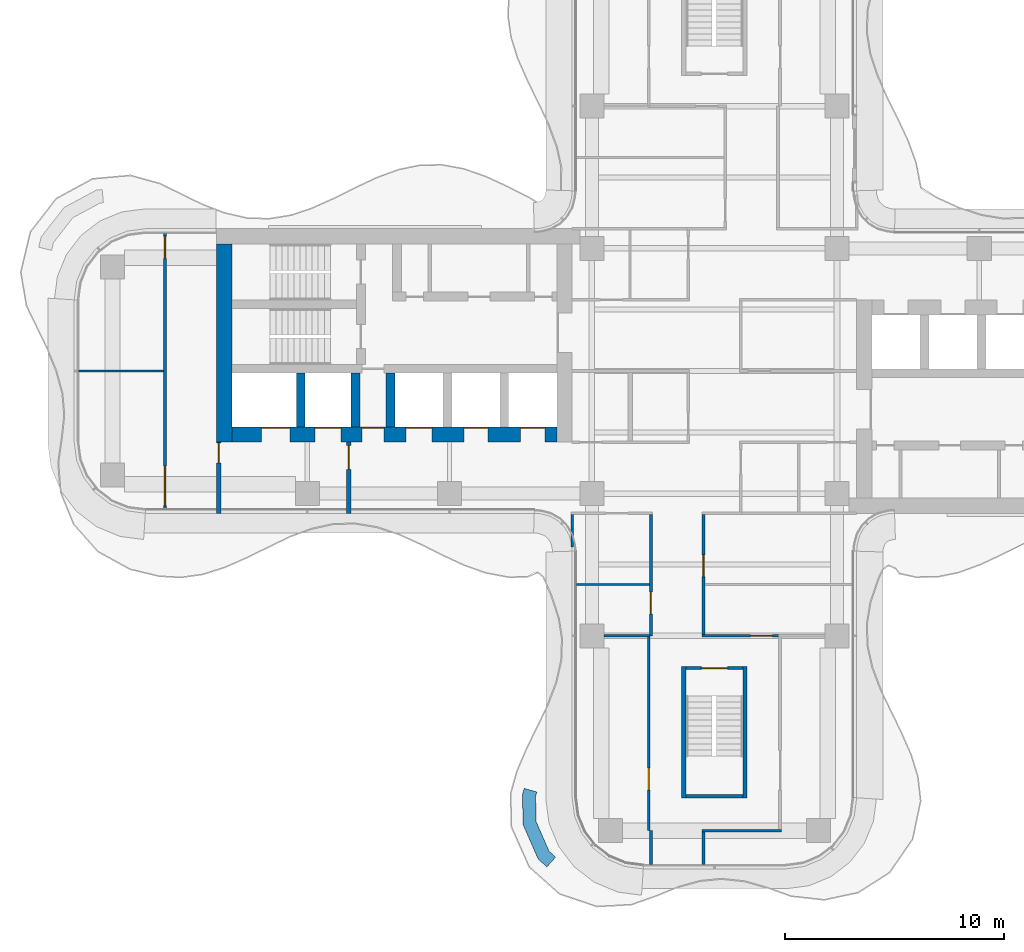
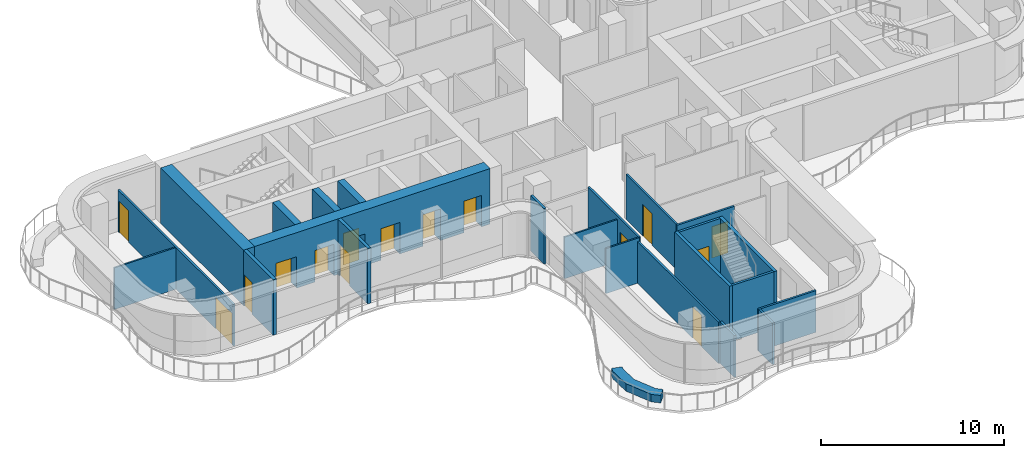
# One storey, part 11 of 16: 24 walls, 15 doors, 15 openings.
"""IFC4 building model written with IfcOpenShell, lengths in metres."""

from ifc_helpers import new_model, si_unit, direction, frame, frame_2d, origin, place, context, subcontext, project, spatial, polyline, rectangle, outline, extrude, source, transform, mapped, material, layer, layer_set, type_object, element, fill, save


model = new_model("IFC4")

# Units and contexts
model_context = context("Model", 3, precision=1e-05, world=origin(), true_north=direction((0.0, 1.0)))
body_context = subcontext(model_context, "Body", "Model", "MODEL_VIEW")
ifc_project = project(units=[si_unit("LENGTHUNIT", "METRE"), si_unit("AREAUNIT", "SQUARE_METRE"), si_unit("VOLUMEUNIT", "CUBIC_METRE"), si_unit("PLANEANGLEUNIT", "RADIAN"), si_unit("MASSUNIT", "GRAM", prefix="KILO")], contexts=[model_context])

# Site, building, storey
site_placement = place(None, origin())
site = spatial("IfcSite", under=ifc_project, at=site_placement, CompositionType="ELEMENT")
building_placement = place(site_placement, origin())
building = spatial("IfcBuilding", under=site, at=building_placement, Name="Trellis Farm Tower", CompositionType="ELEMENT")
storey_placement = place(building_placement, frame((0.0, 0.0, 263.60009765625)))
storey = spatial("IfcBuildingStorey", under=building, at=storey_placement, Name="L59", CompositionType="ELEMENT", Elevation=263.60009765625)

# Wall
ifc_material_1 = material(Name="Plasterboard on steel studs", Category="steel")
ifc_layer_1 = layer(ifc_material_1, 0.10009765625)
ifc_layer_set_1 = layer_set([ifc_layer_1], Name="PARTITION 100 STUD EI 30")
wall_type_1 = type_object("IfcWallType", Name="PARTITION 100 STUD EI 30", PredefinedType="PARTITIONING", material=ifc_layer_set_1)
wall_1_placement = place(storey_placement, frame((-6.300048828125, -9.75, 0.0), z_axis=(0.0, 0.0, 1.0), x_axis=(1.0, 0.0, 0.0)))
element("IfcWall", 1, at=wall_1_placement, inside=storey, type_object=wall_type_1, Name="Partition PW2", PredefinedType="PARTITIONING", context=body_context, shape_type="SweptSolid", body=[
    extrude(rectangle(XDim=3.337646484375, YDim=0.10009765625, at=frame_2d((1.6689453125, 0.0))), origin(), (0.0, 0.0, 1.0), 2.77978515625),
])

# Wall, opening, door
ifc_material_2 = material(Name="Plasterboard on steel studs, mineral wool", Category="steel")
ifc_layer_2 = layer(ifc_material_2, 0.125)
ifc_layer_set_2 = layer_set([ifc_layer_2], Name="PARTITION 125 STUD EI 60")
wall_type_2 = type_object("IfcWallType", Name="PARTITION 125 STUD EI 60", PredefinedType="PARTITIONING", material=ifc_layer_set_2)
wall_2_placement = place(storey_placement, frame((-3.0, -21.0, 0.0), z_axis=(0.0, 0.0, 1.0), x_axis=(0.0, 1.0, 0.0)))
wall_2 = element("IfcWall", 2, at=wall_2_placement, inside=storey, type_object=wall_type_2, Name="Partition PW1", PredefinedType="PARTITIONING", context=body_context, shape_type="SweptSolid", body=[
    extrude(rectangle(XDim=8.85009765625, YDim=0.125, at=frame_2d((4.425048828125, 0.0))), origin(), (0.0, 0.0, 1.0), 2.77978515625),
])
shared_shape_1 = source(origin(), body_context, "Body", "SweptSolid", [
    extrude(rectangle(XDim=1.0, YDim=2.10009765625, at=frame_2d((0.5, 1.050048828125))), frame((0.0, 0.072509765625, 0.0), z_axis=(0.0, -1.0, 0.0), x_axis=(1.0, 0.0, 0.0)), (0.0, 0.0, 1.0), 0.14501953125),
])
opening_1_placement = place(wall_2_placement, frame((1.85009765625, 0.0, 0.0)))
opening_1 = element("IfcOpeningElement", 3, at=opening_1_placement, cuts=wall_2, Name="Opening D101", PredefinedType="OPENING", context=body_context, shape_type="MappedRepresentation", body=[
    mapped(shared_shape_1, transform((0.0, 0.0, 0.0))),
])
ifc_material_3 = material(Name="Fire-rated timber door leaf in a hollow metal frame", Category="wood")
door_type_1 = type_object("IfcDoorType", Name="DOOR 1000x2100 FD30S", OperationType="NOTDEFINED", PredefinedType="DOOR", material=ifc_material_3)
shared_shape_2 = source(origin(), body_context, "Body", "SweptSolid", [
    extrude(rectangle(XDim=1.0, YDim=2.10009765625, at=frame_2d((0.5, 1.050048828125))), frame((0.0, 0.02490234375, 0.0), z_axis=(0.0, -1.0, 0.0), x_axis=(1.0, 0.0, 0.0)), (0.0, 0.0, 1.0), 0.050048828125),
])
door_1_placement = place(opening_1_placement, origin())
door_1 = element("IfcDoor", 4, at=door_1_placement, inside=storey, type_object=door_type_1, Name="Door D101", OperationType="SINGLE_SWING_LEFT", OverallHeight=2.10009765625, OverallWidth=1.0, PredefinedType="DOOR", context=body_context, shape_type="MappedRepresentation", body=[
    mapped(shared_shape_2, transform((0.0, 0.0, 0.0))),
])
fill(opening_1, door_1)

# Walls
ifc_material_4 = material(Name="Sandstone faced masonry planter", Category="masonry")
ifc_layer_3 = layer(ifc_material_4, 0.60009765625)
ifc_layer_set_3 = layer_set([ifc_layer_3], Name="PLANTER BED 600")
wall_type_3 = type_object("IfcWallType", Name="PLANTER BED 600", PredefinedType="USERDEFINED", material=ifc_layer_set_3)
wall_3_placement = place(storey_placement, origin())
element("IfcWall", 5, at=wall_3_placement, inside=storey, type_object=wall_type_3, Name="PLANTER bed", ObjectType="PLANTER", PredefinedType="USERDEFINED", context=body_context, shape_type="SweptSolid", body=[
    extrude(outline(polyline([(-8.738525390625, -20.732177734375), (-8.772216796875, -19.363525390625), (-8.688232421875, -19.071533203125), (-8.11181640625, -19.237060546875), (-8.170166015625, -19.440673828125), (-8.1416015625, -20.599609375), (-7.55419921875, -21.941650390625), (-7.254638671875, -22.210693359375), (-7.65576171875, -22.656982421875), (-8.051513671875, -22.301025390625), (-8.738525390625, -20.732177734375)])), origin(), (0.0, 0.0, 1.0), 0.5),
])
ifc_material_5 = material(Name="Concrete C60/75", Category="concrete")
ifc_layer_4 = layer(ifc_material_5, 0.699951171875)
ifc_layer_set_4 = layer_set([ifc_layer_4], Name="CORE OUTER WALL 700 CONCRETE C60/75")
wall_type_4 = type_object("IfcWallType", Name="CORE OUTER WALL 700 CONCRETE C60/75", PredefinedType="SHEAR", material=ifc_layer_set_4)
shared_shape_3 = source(origin(), body_context, "Body", "SweptSolid", [
    extrude(rectangle(XDim=9.050048828125, YDim=0.699951171875, at=frame_2d((4.52490234375, 0.0))), origin(), (0.0, 0.0, 1.0), 3.699951171875),
])
wall_4_placement = place(storey_placement, frame((-22.39990234375, 5.800048828125, 0.0), z_axis=(0.0, 0.0, 1.0), x_axis=(0.0, -1.0, 0.0)))
element("IfcWall", 6, at=wall_4_placement, inside=storey, type_object=wall_type_4, Name="Core wall", PredefinedType="SHEAR", context=body_context, shape_type="MappedRepresentation", body=[
    mapped(shared_shape_3, transform((0.0, 0.0, 0.0))),
])
ifc_layer_5 = layer(ifc_material_5, 0.39990234375)
ifc_layer_set_5 = layer_set([ifc_layer_5], Name="CORE INNER WALL 400 CONCRETE C60/75")
wall_type_5 = type_object("IfcWallType", Name="CORE INNER WALL 400 CONCRETE C60/75", PredefinedType="SHEAR", material=ifc_layer_set_5)
shared_shape_4 = source(origin(), body_context, "Body", "SweptSolid", [
    extrude(rectangle(XDim=2.449951171875, YDim=0.39990234375, at=frame_2d((1.22509765625, 0.0))), origin(), (0.0, 0.0, 1.0), 3.699951171875),
])
for number, where, z_axis, x_axis, name in (
    (7, (-14.800048828125, -0.10009765625, 0.0), (0.0, 0.0, 1.0), (0.0, -1.0, 0.0), "Core wall"),
    (8, (-16.39990234375, -0.10009765625, 0.0), (0.0, 0.0, 1.0), (0.0, -1.0, 0.0), "Core wall"),
    (9, (-18.89990234375, -0.10009765625, 0.0), (0.0, 0.0, 1.0), (0.0, -1.0, 0.0), "Core wall"),
):
    element("IfcWall", number, at=place(storey_placement, frame(where, z_axis=z_axis, x_axis=x_axis)), inside=storey, type_object=wall_type_5, Name=name, PredefinedType="SHEAR", context=body_context, shape_type="MappedRepresentation", body=[
        mapped(shared_shape_4, transform((0.0, 0.0, 0.0))),
    ])

# Wall, opening, door
ifc_material_6 = material(Name="Masonry blockwork", Category="masonry")
ifc_layer_6 = layer(ifc_material_6, 0.199951171875)
ifc_layer_set_6 = layer_set([ifc_layer_6], Name="FIRE LOBBY PARTITION 200 BLOCKWORK")
wall_type_6 = type_object("IfcWallType", Name="FIRE LOBBY PARTITION 200 BLOCKWORK", PredefinedType="PARTITIONING", material=ifc_layer_set_6)
shared_shape_5 = source(origin(), body_context, "Body", "SweptSolid", [
    extrude(rectangle(XDim=3.25, YDim=0.199951171875, at=frame_2d((1.625, 0.0))), origin(), (0.0, 0.0, 1.0), 3.699951171875),
])
wall_5_placement = place(storey_placement, frame((-16.699951171875, -3.25, 0.0), z_axis=(0.0, 0.0, 1.0), x_axis=(0.0, -1.0, 0.0)))
wall_5 = element("IfcWall", 10, at=wall_5_placement, inside=storey, type_object=wall_type_6, Name="Fire-fighting lobby partition", PredefinedType="PARTITIONING", context=body_context, shape_type="MappedRepresentation", body=[
    mapped(shared_shape_5, transform((0.0, 0.0, 0.0))),
])
shared_shape_6 = source(origin(), body_context, "Body", "SweptSolid", [
    extrude(rectangle(XDim=1.10009765625, YDim=2.10009765625, at=frame_2d((0.550048828125, 1.050048828125))), frame((0.0, 0.110107421875, 0.0), z_axis=(0.0, -1.0, 0.0), x_axis=(1.0, 0.0, 0.0)), (0.0, 0.0, 1.0), 0.22021484375),
])
opening_2_placement = place(wall_5_placement, frame((0.14990234375, 0.0, 0.0)))
opening_2 = element("IfcOpeningElement", 11, at=opening_2_placement, cuts=wall_5, Name="Opening DC93", PredefinedType="OPENING", context=body_context, shape_type="MappedRepresentation", body=[
    mapped(shared_shape_6, transform((0.0, 0.0, 0.0))),
])
ifc_material_7 = material(Name="Steel", Category="steel")
door_type_2 = type_object("IfcDoorType", Name="CORE FIRE DOOR 1100 X 2100", OperationType="NOTDEFINED", PredefinedType="DOOR", material=ifc_material_7)
shared_shape_7 = source(origin(), body_context, "Body", "SweptSolid", [
    extrude(rectangle(XDim=1.10009765625, YDim=2.10009765625, at=frame_2d((0.550048828125, 1.050048828125))), frame((0.0, 0.02490234375, 0.0), z_axis=(0.0, -1.0, 0.0), x_axis=(1.0, 0.0, 0.0)), (0.0, 0.0, 1.0), 0.050048828125),
])
door_2_placement = place(opening_2_placement, origin())
door_2 = element("IfcDoor", 12, at=door_2_placement, inside=storey, type_object=door_type_2, Name="Core door", OperationType="SINGLE_SWING_RIGHT", OverallHeight=2.10009765625, OverallWidth=1.10009765625, PredefinedType="DOOR", context=body_context, shape_type="MappedRepresentation", body=[
    mapped(shared_shape_7, transform((0.0, 0.0, 0.0))),
])
fill(opening_2, door_2)

wall_6_placement = place(storey_placement, frame((-22.64990234375, -3.25, 0.0), z_axis=(0.0, 0.0, 1.0), x_axis=(0.0, -1.0, 0.0)))
wall_6 = element("IfcWall", 13, at=wall_6_placement, inside=storey, type_object=wall_type_6, Name="Fire-fighting lobby partition", PredefinedType="PARTITIONING", context=body_context, shape_type="MappedRepresentation", body=[
    mapped(shared_shape_5, transform((0.0, 0.0, 0.0))),
])
shared_shape_8 = source(origin(), body_context, "Body", "SweptSolid", [
    extrude(rectangle(XDim=0.89990234375, YDim=2.10009765625, at=frame_2d((0.449951171875, 1.050048828125))), frame((0.0, 0.110107421875, 0.0), z_axis=(0.0, -1.0, 0.0), x_axis=(1.0, 0.0, 0.0)), (0.0, 0.0, 1.0), 0.22021484375),
])
opening_3_placement = place(wall_6_placement, frame((0.050048828125, 0.0, 0.0)))
opening_3 = element("IfcOpeningElement", 14, at=opening_3_placement, cuts=wall_6, Name="Opening DC94", PredefinedType="OPENING", context=body_context, shape_type="MappedRepresentation", body=[
    mapped(shared_shape_8, transform((0.0, 0.0, 0.0))),
])
door_type_3 = type_object("IfcDoorType", Name="CORE FIRE DOOR 900 X 2100", OperationType="NOTDEFINED", PredefinedType="DOOR", material=ifc_material_7)
shared_shape_9 = source(origin(), body_context, "Body", "SweptSolid", [
    extrude(rectangle(XDim=0.89990234375, YDim=2.10009765625, at=frame_2d((0.449951171875, 1.050048828125))), frame((0.0, 0.02490234375, 0.0), z_axis=(0.0, -1.0, 0.0), x_axis=(1.0, 0.0, 0.0)), (0.0, 0.0, 1.0), 0.050048828125),
])
door_3_placement = place(opening_3_placement, origin())
door_3 = element("IfcDoor", 15, at=door_3_placement, inside=storey, type_object=door_type_3, Name="Core door", OperationType="SINGLE_SWING_RIGHT", OverallHeight=2.10009765625, OverallWidth=0.89990234375, PredefinedType="DOOR", context=body_context, shape_type="MappedRepresentation", body=[
    mapped(shared_shape_9, transform((0.0, 0.0, 0.0))),
])
fill(opening_3, door_3)

# Wall, openings, doors
shared_shape_10 = source(origin(), body_context, "Body", "SweptSolid", [
    extrude(rectangle(XDim=14.85009765625, YDim=0.699951171875, at=frame_2d((7.425048828125, 0.0))), origin(), (0.0, 0.0, 1.0), 3.699951171875),
])
wall_7_placement = place(storey_placement, frame((-7.199951171875, -2.89990234375, 0.0), z_axis=(0.0, 0.0, 1.0), x_axis=(-1.0, 0.0, 0.0)))
wall_7 = element("IfcWall", 16, at=wall_7_placement, inside=storey, type_object=wall_type_4, Name="Core wall", PredefinedType="SHEAR", context=body_context, shape_type="MappedRepresentation", body=[
    mapped(shared_shape_10, transform((0.0, 0.0, 0.0))),
])
shared_shape_11 = source(origin(), body_context, "Body", "SweptSolid", [
    extrude(rectangle(XDim=1.10009765625, YDim=2.10009765625, at=frame_2d((0.550048828125, 1.050048828125))), frame((0.0, 0.360107421875, 0.0), z_axis=(0.0, -1.0, 0.0), x_axis=(1.0, 0.0, 0.0)), (0.0, 0.0, 1.0), 0.72021484375),
])
opening_4_placement = place(wall_7_placement, frame((0.550048828125, 0.0, 0.0)))
opening_4 = element("IfcOpeningElement", 17, at=opening_4_placement, cuts=wall_7, Name="Opening LD12", PredefinedType="OPENING", context=body_context, shape_type="MappedRepresentation", body=[
    mapped(shared_shape_11, transform((0.0, 0.0, 0.0))),
])
opening_5_placement = place(wall_7_placement, frame((3.14990234375, 0.0, 0.0)))
opening_5 = element("IfcOpeningElement", 18, at=opening_5_placement, cuts=wall_7, Name="Opening LD13", PredefinedType="OPENING", context=body_context, shape_type="MappedRepresentation", body=[
    mapped(shared_shape_11, transform((0.0, 0.0, 0.0))),
])
shared_shape_12 = source(origin(), body_context, "Body", "SweptSolid", [
    extrude(rectangle(XDim=1.199951171875, YDim=2.10009765625, at=frame_2d((0.60009765625, 1.050048828125))), frame((0.0, 0.360107421875, 0.0), z_axis=(0.0, -1.0, 0.0), x_axis=(1.0, 0.0, 0.0)), (0.0, 0.0, 1.0), 0.72021484375),
])
opening_6_placement = place(wall_7_placement, frame((5.699951171875, 0.0, 0.0)))
opening_6 = element("IfcOpeningElement", 19, at=opening_6_placement, cuts=wall_7, Name="Opening LD14", PredefinedType="OPENING", context=body_context, shape_type="MappedRepresentation", body=[
    mapped(shared_shape_12, transform((0.0, 0.0, 0.0))),
])
shared_shape_13 = source(origin(), body_context, "Body", "SweptSolid", [
    extrude(rectangle(XDim=1.300048828125, YDim=2.10009765625, at=frame_2d((0.64990234375, 1.050048828125))), frame((0.0, 0.360107421875, 0.0), z_axis=(0.0, -1.0, 0.0), x_axis=(1.0, 0.0, 0.0)), (0.0, 0.0, 1.0), 0.72021484375),
])
opening_7_placement = place(wall_7_placement, frame((12.199951171875, 0.0, 0.0)))
opening_7 = element("IfcOpeningElement", 20, at=opening_7_placement, cuts=wall_7, Name="Opening LD15", PredefinedType="OPENING", context=body_context, shape_type="MappedRepresentation", body=[
    mapped(shared_shape_13, transform((0.0, 0.0, 0.0))),
])
opening_8_placement = place(wall_7_placement, frame((9.85009765625, 0.0, 0.0)))
opening_8 = element("IfcOpeningElement", 21, at=opening_8_placement, cuts=wall_7, Name="Opening LD16", PredefinedType="OPENING", context=body_context, shape_type="MappedRepresentation", body=[
    mapped(shared_shape_12, transform((0.0, 0.0, 0.0))),
])
shared_shape_14 = source(origin(), body_context, "Body", "SweptSolid", [
    extrude(rectangle(XDim=1.0, YDim=2.10009765625, at=frame_2d((0.5, 1.050048828125))), frame((0.0, 0.360107421875, 0.0), z_axis=(0.0, -1.0, 0.0), x_axis=(1.0, 0.0, 0.0)), (0.0, 0.0, 1.0), 0.72021484375),
])
opening_9_placement = place(wall_7_placement, frame((7.89990234375, 0.0, 0.0)))
opening_9 = element("IfcOpeningElement", 22, at=opening_9_placement, cuts=wall_7, Name="Opening DC92", PredefinedType="OPENING", context=body_context, shape_type="MappedRepresentation", body=[
    mapped(shared_shape_14, transform((0.0, 0.0, 0.0))),
])
door_type_4 = type_object("IfcDoorType", Name="CORE FIRE DOOR 1000 X 2100", OperationType="NOTDEFINED", PredefinedType="DOOR", material=ifc_material_7)
shared_shape_15 = source(origin(), body_context, "Body", "SweptSolid", [
    extrude(rectangle(XDim=1.0, YDim=2.10009765625, at=frame_2d((0.5, 1.050048828125))), frame((0.0, -0.27490234375, 0.0), z_axis=(0.0, -1.0, 0.0), x_axis=(1.0, 0.0, 0.0)), (0.0, 0.0, 1.0), 0.050048828125),
])
door_4_placement = place(opening_9_placement, origin())
door_4 = element("IfcDoor", 23, at=door_4_placement, inside=storey, type_object=door_type_4, Name="Core door", OperationType="SINGLE_SWING_LEFT", OverallHeight=2.10009765625, OverallWidth=1.0, PredefinedType="DOOR", context=body_context, shape_type="MappedRepresentation", body=[
    mapped(shared_shape_15, transform((0.0, 0.0, 0.0))),
])
fill(opening_9, door_4)
ifc_material_8 = material(Name="Stainless steel", Category="steel")
door_type_5 = type_object("IfcDoorType", Name="LIFT LANDING DOOR 1300 X 2100", OperationType="DOUBLE_DOOR_SLIDING", PredefinedType="DOOR", material=ifc_material_8)
shared_shape_16 = source(origin(), body_context, "Body", "SweptSolid", [
    extrude(rectangle(XDim=1.300048828125, YDim=2.10009765625, at=frame_2d((0.64990234375, 1.050048828125))), frame((0.0, -0.27490234375, 0.0), z_axis=(0.0, -1.0, 0.0), x_axis=(1.0, 0.0, 0.0)), (0.0, 0.0, 1.0), 0.050048828125),
])
door_5_placement = place(opening_7_placement, origin())
door_5 = element("IfcDoor", 24, at=door_5_placement, inside=storey, type_object=door_type_5, Name="Lift landing door", OperationType="DOUBLE_DOOR_SLIDING", OverallHeight=2.10009765625, OverallWidth=1.300048828125, PredefinedType="DOOR", context=body_context, shape_type="MappedRepresentation", body=[
    mapped(shared_shape_16, transform((0.0, 0.0, 0.0))),
])
fill(opening_7, door_5)
door_type_6 = type_object("IfcDoorType", Name="LIFT LANDING DOOR 1200 X 2100", OperationType="DOUBLE_DOOR_SLIDING", PredefinedType="DOOR", material=ifc_material_8)
shared_shape_17 = source(origin(), body_context, "Body", "SweptSolid", [
    extrude(rectangle(XDim=1.199951171875, YDim=2.10009765625, at=frame_2d((0.60009765625, 1.050048828125))), frame((0.0, -0.27490234375, 0.0), z_axis=(0.0, -1.0, 0.0), x_axis=(1.0, 0.0, 0.0)), (0.0, 0.0, 1.0), 0.050048828125),
])
door_6_placement = place(opening_6_placement, origin())
door_6 = element("IfcDoor", 25, at=door_6_placement, inside=storey, type_object=door_type_6, Name="Lift landing door", OperationType="DOUBLE_DOOR_SLIDING", OverallHeight=2.10009765625, OverallWidth=1.199951171875, PredefinedType="DOOR", context=body_context, shape_type="MappedRepresentation", body=[
    mapped(shared_shape_17, transform((0.0, 0.0, 0.0))),
])
fill(opening_6, door_6)
door_7_placement = place(opening_8_placement, origin())
door_7 = element("IfcDoor", 26, at=door_7_placement, inside=storey, type_object=door_type_6, Name="Lift landing door", OperationType="DOUBLE_DOOR_SLIDING", OverallHeight=2.10009765625, OverallWidth=1.199951171875, PredefinedType="DOOR", context=body_context, shape_type="MappedRepresentation", body=[
    mapped(shared_shape_17, transform((0.0, 0.0, 0.0))),
])
fill(opening_8, door_7)
door_type_7 = type_object("IfcDoorType", Name="LIFT LANDING DOOR 1100 X 2100", OperationType="DOUBLE_DOOR_SLIDING", PredefinedType="DOOR", material=ifc_material_8)
shared_shape_18 = source(origin(), body_context, "Body", "SweptSolid", [
    extrude(rectangle(XDim=1.10009765625, YDim=2.10009765625, at=frame_2d((0.550048828125, 1.050048828125))), frame((0.0, -0.27490234375, 0.0), z_axis=(0.0, -1.0, 0.0), x_axis=(1.0, 0.0, 0.0)), (0.0, 0.0, 1.0), 0.050048828125),
])
door_8_placement = place(opening_4_placement, origin())
door_8 = element("IfcDoor", 27, at=door_8_placement, inside=storey, type_object=door_type_7, Name="Lift landing door", OperationType="DOUBLE_DOOR_SLIDING", OverallHeight=2.10009765625, OverallWidth=1.10009765625, PredefinedType="DOOR", context=body_context, shape_type="MappedRepresentation", body=[
    mapped(shared_shape_18, transform((0.0, 0.0, 0.0))),
])
fill(opening_4, door_8)
door_9_placement = place(opening_5_placement, origin())
door_9 = element("IfcDoor", 28, at=door_9_placement, inside=storey, type_object=door_type_7, Name="Lift landing door", OperationType="DOUBLE_DOOR_SLIDING", OverallHeight=2.10009765625, OverallWidth=1.10009765625, PredefinedType="DOOR", context=body_context, shape_type="MappedRepresentation", body=[
    mapped(shared_shape_18, transform((0.0, 0.0, 0.0))),
])
fill(opening_5, door_9)

# Walls
ifc_layer_7 = layer(ifc_material_5, 0.199951171875)
ifc_layer_set_7 = layer_set([ifc_layer_7], Name="CORE STAIR ENCLOSURE WALL 200 CONCRETE C60/75")
wall_type_7 = type_object("IfcWallType", Name="CORE STAIR ENCLOSURE WALL 200 CONCRETE C60/75", PredefinedType="SHEAR", material=ifc_layer_set_7)
shared_shape_19 = source(origin(), body_context, "Body", "SweptSolid", [
    extrude(rectangle(XDim=6.0, YDim=0.199951171875, at=frame_2d((3.0, 0.0))), origin(), (0.0, 0.0, 1.0), 3.699951171875),
])
for number, where, z_axis, x_axis, name in (
    (29, (1.39990234375, -13.5, 0.0), (0.0, 0.0, 1.0), (0.0, -1.0, 0.0), "Stair enclosure wall"),
    (30, (-1.39990234375, -13.5, 0.0), (0.0, 0.0, 1.0), (0.0, -1.0, 0.0), "Stair enclosure wall"),
):
    element("IfcWall", number, at=place(storey_placement, frame(where, z_axis=z_axis, x_axis=x_axis)), inside=storey, type_object=wall_type_7, Name=name, PredefinedType="SHEAR", context=body_context, shape_type="MappedRepresentation", body=[
        mapped(shared_shape_19, transform((0.0, 0.0, 0.0))),
    ])

# Wall, opening, door
ifc_layer_8 = layer(ifc_material_5, 0.14990234375)
ifc_layer_set_8 = layer_set([ifc_layer_8], Name="CORE STAIR ENCLOSURE WALL 150 CONCRETE C60/75")
wall_type_8 = type_object("IfcWallType", Name="CORE STAIR ENCLOSURE WALL 150 CONCRETE C60/75", PredefinedType="SHEAR", material=ifc_layer_set_8)
shared_shape_20 = source(origin(), body_context, "Body", "SweptSolid", [
    extrude(rectangle(XDim=2.60009765625, YDim=0.14990234375, at=frame_2d((1.300048828125, 0.0))), origin(), (0.0, 0.0, 1.0), 3.699951171875),
])
wall_8_placement = place(storey_placement, frame((1.300048828125, -13.574951171875, 0.0), z_axis=(0.0, 0.0, 1.0), x_axis=(-1.0, 0.0, 0.0)))
wall_8 = element("IfcWall", 31, at=wall_8_placement, inside=storey, type_object=wall_type_8, Name="Stair enclosure wall", PredefinedType="SHEAR", context=body_context, shape_type="MappedRepresentation", body=[
    mapped(shared_shape_20, transform((0.0, 0.0, 0.0))),
])
shared_shape_21 = source(origin(), body_context, "Body", "SweptSolid", [
    extrude(rectangle(XDim=1.199951171875, YDim=2.10009765625, at=frame_2d((0.60009765625, 1.050048828125))), frame((0.0, 0.0849609375, 0.0), z_axis=(0.0, -1.0, 0.0), x_axis=(1.0, 0.0, 0.0)), (0.0, 0.0, 1.0), 0.169921875),
])
opening_10_placement = place(wall_8_placement, frame((0.699951171875, 0.0, 0.0)))
opening_10 = element("IfcOpeningElement", 32, at=opening_10_placement, cuts=wall_8, Name="Opening DC174", PredefinedType="OPENING", context=body_context, shape_type="MappedRepresentation", body=[
    mapped(shared_shape_21, transform((0.0, 0.0, 0.0))),
])
door_type_8 = type_object("IfcDoorType", Name="CORE FIRE DOOR 1200 X 2100", OperationType="NOTDEFINED", PredefinedType="DOOR", material=ifc_material_7)
shared_shape_22 = source(origin(), body_context, "Body", "SweptSolid", [
    extrude(rectangle(XDim=1.199951171875, YDim=2.10009765625, at=frame_2d((0.60009765625, 1.050048828125))), frame((0.0, 0.02490234375, 0.0), z_axis=(0.0, -1.0, 0.0), x_axis=(1.0, 0.0, 0.0)), (0.0, 0.0, 1.0), 0.050048828125),
])
door_10_placement = place(opening_10_placement, origin())
door_10 = element("IfcDoor", 33, at=door_10_placement, inside=storey, type_object=door_type_8, Name="Core door", OperationType="SINGLE_SWING_RIGHT", OverallHeight=2.10009765625, OverallWidth=1.199951171875, PredefinedType="DOOR", context=body_context, shape_type="MappedRepresentation", body=[
    mapped(shared_shape_22, transform((0.0, 0.0, 0.0))),
])
fill(opening_10, door_10)

# Wall
wall_9_placement = place(storey_placement, frame((1.300048828125, -19.425048828125, 0.0), z_axis=(0.0, 0.0, 1.0), x_axis=(-1.0, 0.0, 0.0)))
element("IfcWall", 34, at=wall_9_placement, inside=storey, type_object=wall_type_8, Name="Stair enclosure wall", PredefinedType="SHEAR", context=body_context, shape_type="MappedRepresentation", body=[
    mapped(shared_shape_20, transform((0.0, 0.0, 0.0))),
])

# Wall, opening, door
shared_shape_23 = source(origin(), body_context, "Body", "SweptSolid", [
    extrude(rectangle(XDim=5.47509765625, YDim=0.125, at=frame_2d((2.737548828125, 0.0))), origin(), (0.0, 0.0, 1.0), 2.99658203125),
])
wall_10_placement = place(storey_placement, frame((-0.5, -6.5625, 0.0), z_axis=(0.0, 0.0, 1.0), x_axis=(0.0, -1.0, 0.0)))
wall_10 = element("IfcWall", 35, at=wall_10_placement, inside=storey, type_object=wall_type_2, Name="Partition PW1", PredefinedType="PARTITIONING", context=body_context, shape_type="MappedRepresentation", body=[
    mapped(shared_shape_23, transform((0.0, 0.0, 0.0))),
])
opening_11_placement = place(wall_10_placement, frame((1.83740234375, 0.0, 0.0)))
opening_11 = element("IfcOpeningElement", 36, at=opening_11_placement, cuts=wall_10, Name="Opening D104", PredefinedType="OPENING", context=body_context, shape_type="MappedRepresentation", body=[
    mapped(shared_shape_1, transform((0.0, 0.0, 0.0))),
])
door_11_placement = place(opening_11_placement, origin())
door_11 = element("IfcDoor", 37, at=door_11_placement, inside=storey, type_object=door_type_1, Name="Door D104", OperationType="SINGLE_SWING_RIGHT", OverallHeight=2.10009765625, OverallWidth=1.0, PredefinedType="DOOR", context=body_context, shape_type="MappedRepresentation", body=[
    mapped(shared_shape_2, transform((0.0, 0.0, 0.0))),
])
fill(opening_11, door_11)

shared_shape_24 = source(origin(), body_context, "Body", "SweptSolid", [
    extrude(rectangle(XDim=5.53759765625, YDim=0.125, at=frame_2d((2.768798828125, 0.0))), origin(), (0.0, 0.0, 1.0), 2.99658203125),
])
wall_11_placement = place(storey_placement, frame((-2.89990234375, -12.10009765625, 0.0), z_axis=(0.0, 0.0, 1.0), x_axis=(0.0, 1.0, 0.0)))
wall_11 = element("IfcWall", 38, at=wall_11_placement, inside=storey, type_object=wall_type_2, Name="Partition PW1", PredefinedType="PARTITIONING", context=body_context, shape_type="MappedRepresentation", body=[
    mapped(shared_shape_24, transform((0.0, 0.0, 0.0))),
])
opening_12_placement = place(wall_11_placement, frame((1.0, 0.0, 0.0)))
opening_12 = element("IfcOpeningElement", 39, at=opening_12_placement, cuts=wall_11, Name="Opening D103", PredefinedType="OPENING", context=body_context, shape_type="MappedRepresentation", body=[
    mapped(shared_shape_1, transform((0.0, 0.0, 0.0))),
])
door_12_placement = place(opening_12_placement, origin())
door_12 = element("IfcDoor", 40, at=door_12_placement, inside=storey, type_object=door_type_1, Name="Door D103", OperationType="SINGLE_SWING_RIGHT", OverallHeight=2.10009765625, OverallWidth=1.0, PredefinedType="DOOR", context=body_context, shape_type="MappedRepresentation", body=[
    mapped(shared_shape_2, transform((0.0, 0.0, 0.0))),
])
fill(opening_12, door_12)

# Wall
shared_shape_25 = source(origin(), body_context, "Body", "SweptSolid", [
    extrude(rectangle(XDim=1.468994140625, YDim=0.125, at=frame_2d((0.734375, 0.0))), origin(), (0.0, 0.0, 1.0), 3.699951171875),
])
wall_12_placement = place(storey_placement, frame((-6.5, -6.5625, 0.0), z_axis=(0.0, 0.0, 1.0), x_axis=(0.0, -1.0, 0.0)))
element("IfcWall", 41, at=wall_12_placement, inside=storey, type_object=wall_type_2, Name="Partition PW1", PredefinedType="PARTITIONING", context=body_context, shape_type="MappedRepresentation", body=[
    mapped(shared_shape_25, transform((0.0, 0.0, 0.0))),
])

# Wall, opening, door
shared_shape_26 = source(origin(), body_context, "Body", "SweptSolid", [
    extrude(rectangle(XDim=3.625, YDim=0.125, at=frame_2d((1.8125, 0.0))), origin(), (0.0, 0.0, 1.0), 2.99658203125),
])
wall_13_placement = place(storey_placement, frame((-0.5625, -12.10009765625, 0.0), z_axis=(0.0, 0.0, 1.0), x_axis=(1.0, 0.0, 0.0)))
wall_13 = element("IfcWall", 42, at=wall_13_placement, inside=storey, type_object=wall_type_2, Name="Partition PW1", PredefinedType="PARTITIONING", context=body_context, shape_type="MappedRepresentation", body=[
    mapped(shared_shape_26, transform((0.0, 0.0, 0.0))),
])
opening_13_placement = place(wall_13_placement, frame((2.21240234375, 0.0, 0.0)))
opening_13 = element("IfcOpeningElement", 43, at=opening_13_placement, cuts=wall_13, Name="Opening D102", PredefinedType="OPENING", context=body_context, shape_type="MappedRepresentation", body=[
    mapped(shared_shape_1, transform((0.0, 0.0, 0.0))),
])
door_13_placement = place(opening_13_placement, origin())
door_13 = element("IfcDoor", 44, at=door_13_placement, inside=storey, type_object=door_type_1, Name="Door D102", OperationType="SINGLE_SWING_RIGHT", OverallHeight=2.10009765625, OverallWidth=1.0, PredefinedType="DOOR", context=body_context, shape_type="MappedRepresentation", body=[
    mapped(shared_shape_2, transform((0.0, 0.0, 0.0))),
])
fill(opening_13, door_13)

# Wall, openings, doors
shared_shape_27 = source(origin(), body_context, "Body", "SweptSolid", [
    extrude(rectangle(XDim=12.60009765625, YDim=0.125, at=frame_2d((6.300048828125, 0.0))), origin(), (0.0, 0.0, 1.0), 2.77978515625),
])
wall_14_placement = place(storey_placement, frame((-25.10009765625, -6.300048828125, 0.0), z_axis=(0.0, 0.0, 1.0), x_axis=(0.0, 1.0, 0.0)))
wall_14 = element("IfcWall", 45, at=wall_14_placement, inside=storey, type_object=wall_type_2, Name="Partition PW1", PredefinedType="PARTITIONING", context=body_context, shape_type="MappedRepresentation", body=[
    mapped(shared_shape_27, transform((0.0, 0.0, 0.0))),
])
shared_shape_28 = source(origin(), body_context, "Body", "SweptSolid", [
    extrude(rectangle(XDim=1.800048828125, YDim=2.10009765625, at=frame_2d((0.89990234375, 1.050048828125))), frame((0.0, 0.072509765625, 0.0), z_axis=(0.0, -1.0, 0.0), x_axis=(1.0, 0.0, 0.0)), (0.0, 0.0, 1.0), 0.14501953125),
])
opening_14_placement = place(wall_14_placement, frame((0.14990234375, 0.0, 0.0)))
opening_14 = element("IfcOpeningElement", 46, at=opening_14_placement, cuts=wall_14, Name="Opening D202", PredefinedType="OPENING", context=body_context, shape_type="MappedRepresentation", body=[
    mapped(shared_shape_28, transform((0.0, 0.0, 0.0))),
])
opening_15_placement = place(wall_14_placement, frame((11.449951171875, 0.0, 0.0)))
opening_15 = element("IfcOpeningElement", 47, at=opening_15_placement, cuts=wall_14, Name="Opening D111", PredefinedType="OPENING", context=body_context, shape_type="MappedRepresentation", body=[
    mapped(shared_shape_1, transform((0.0, 0.0, 0.0))),
])
door_14_placement = place(opening_15_placement, origin())
door_14 = element("IfcDoor", 48, at=door_14_placement, inside=storey, type_object=door_type_1, Name="Door D111", OperationType="SINGLE_SWING_RIGHT", OverallHeight=2.10009765625, OverallWidth=1.0, PredefinedType="DOOR", context=body_context, shape_type="MappedRepresentation", body=[
    mapped(shared_shape_2, transform((0.0, 0.0, 0.0))),
])
fill(opening_15, door_14)
door_type_9 = type_object("IfcDoorType", Name="DOOR PAIR 1800x2100 FD30S", OperationType="NOTDEFINED", PredefinedType="DOOR", material=ifc_material_3)
shared_shape_29 = source(origin(), body_context, "Body", "SweptSolid", [
    extrude(rectangle(XDim=1.800048828125, YDim=2.10009765625, at=frame_2d((0.89990234375, 1.050048828125))), frame((0.0, 0.02490234375, 0.0), z_axis=(0.0, -1.0, 0.0), x_axis=(1.0, 0.0, 0.0)), (0.0, 0.0, 1.0), 0.050048828125),
])
door_15_placement = place(opening_14_placement, origin())
door_15 = element("IfcDoor", 49, at=door_15_placement, inside=storey, type_object=door_type_9, Name="Door D202", OperationType="DOUBLE_DOOR_SINGLE_SWING", OverallHeight=2.10009765625, OverallWidth=1.800048828125, PredefinedType="DOOR", context=body_context, shape_type="MappedRepresentation", body=[
    mapped(shared_shape_29, transform((0.0, 0.0, 0.0))),
])
fill(opening_14, door_15)

# Walls
shared_shape_30 = source(origin(), body_context, "Body", "SweptSolid", [
    extrude(rectangle(XDim=1.487548828125, YDim=0.125, at=frame_2d((0.74365234375, 0.0))), origin(), (0.0, 0.0, 1.0), 2.77978515625),
])
wall_15_placement = place(storey_placement, frame((-0.5, -21.0625, 0.0), z_axis=(0.0, 0.0, 1.0), x_axis=(0.0, -1.0, 0.0)))
element("IfcWall", 50, at=wall_15_placement, inside=storey, type_object=wall_type_2, Name="Partition PW1", PredefinedType="PARTITIONING", context=body_context, shape_type="MappedRepresentation", body=[
    mapped(shared_shape_30, transform((0.0, 0.0, 0.0))),
])
shared_shape_31 = source(origin(), body_context, "Body", "SweptSolid", [
    extrude(rectangle(XDim=2.112548828125, YDim=0.10009765625, at=frame_2d((1.05615234375, 0.0))), origin(), (0.0, 0.0, 1.0), 2.99658203125),
])
wall_16_placement = place(storey_placement, frame((-5.050048828125, -12.10009765625, 0.0), z_axis=(0.0, 0.0, 1.0), x_axis=(1.0, 0.0, 0.0)))
element("IfcWall", 51, at=wall_16_placement, inside=storey, type_object=wall_type_1, Name="Partition PW2", PredefinedType="PARTITIONING", context=body_context, shape_type="MappedRepresentation", body=[
    mapped(shared_shape_31, transform((0.0, 0.0, 0.0))),
])
shared_shape_32 = source(origin(), body_context, "Body", "SweptSolid", [
    extrude(rectangle(XDim=1.550048828125, YDim=0.125, at=frame_2d((0.77490234375, 0.0))), origin(), (0.0, 0.0, 1.0), 2.77978515625),
])
wall_17_placement = place(storey_placement, frame((-2.89990234375, -22.550048828125, 0.0), z_axis=(0.0, 0.0, 1.0), x_axis=(0.0, 1.0, 0.0)))
element("IfcWall", 52, at=wall_17_placement, inside=storey, type_object=wall_type_2, Name="Partition PW1", PredefinedType="PARTITIONING", context=body_context, shape_type="MappedRepresentation", body=[
    mapped(shared_shape_32, transform((0.0, 0.0, 0.0))),
])
shared_shape_33 = source(origin(), body_context, "Body", "SweptSolid", [
    extrude(rectangle(XDim=3.887451171875, YDim=0.10009765625, at=frame_2d((1.94384765625, 0.0))), origin(), (0.0, 0.0, 1.0), 2.77978515625),
])
wall_18_placement = place(storey_placement, frame((-29.050048828125, 0.0, 0.0), z_axis=(0.0, 0.0, 1.0), x_axis=(1.0, 0.0, 0.0)))
element("IfcWall", 53, at=wall_18_placement, inside=storey, type_object=wall_type_1, Name="Partition PW2", PredefinedType="PARTITIONING", context=body_context, shape_type="MappedRepresentation", body=[
    mapped(shared_shape_33, transform((0.0, 0.0, 0.0))),
])
shared_shape_34 = source(origin(), body_context, "Body", "SweptSolid", [
    extrude(rectangle(XDim=3.625, YDim=0.125, at=frame_2d((1.8125, 0.0))), origin(), (0.0, 0.0, 1.0), 2.77978515625),
])
wall_19_placement = place(storey_placement, frame((3.0625, -21.0, 0.0), z_axis=(0.0, 0.0, 1.0), x_axis=(-1.0, 0.0, 0.0)))
element("IfcWall", 54, at=wall_19_placement, inside=storey, type_object=wall_type_2, Name="Partition PW1", PredefinedType="PARTITIONING", context=body_context, shape_type="MappedRepresentation", body=[
    mapped(shared_shape_34, transform((0.0, 0.0, 0.0))),
])

save(model, "model.ifc")
